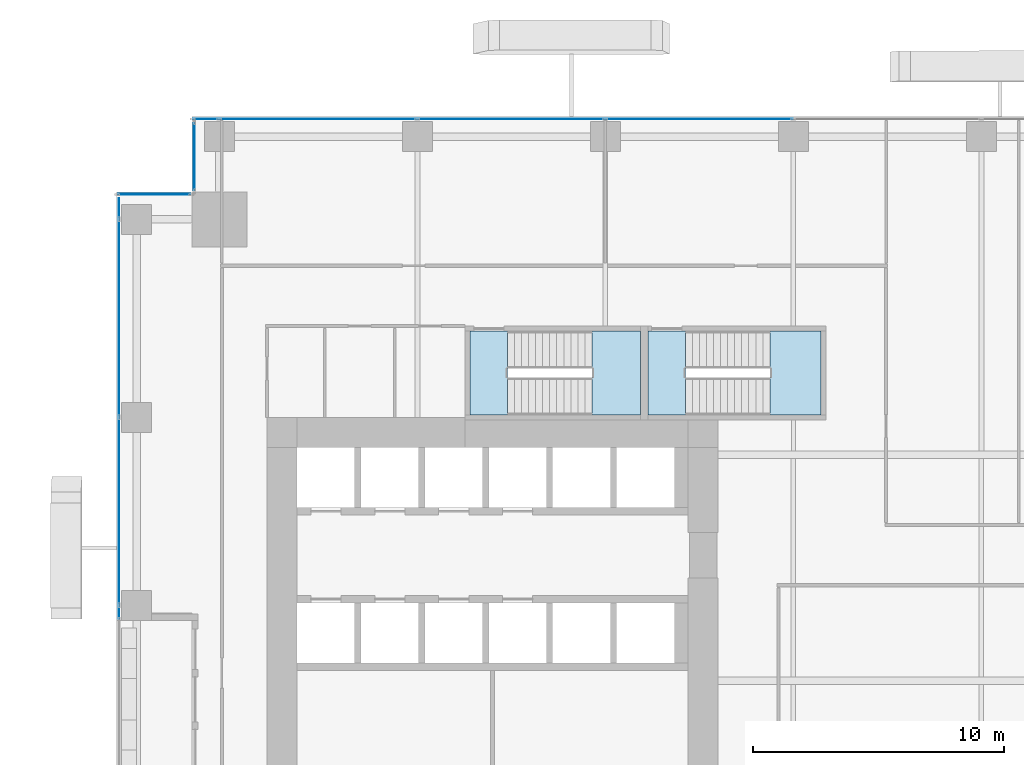
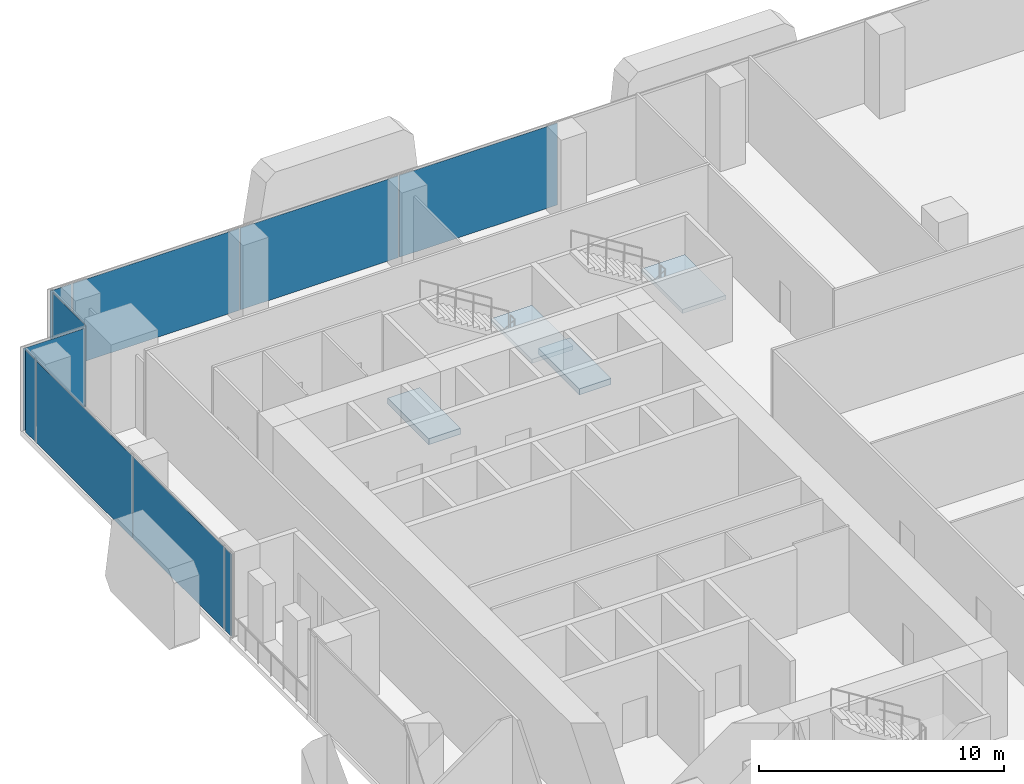
# One storey, part 25 of 35: 10 plates, 4 slabs, 6 elements without a shape of their own.
"""IFC4 building model written with IfcOpenShell, lengths in metres."""

from ifc_helpers import new_model, si_unit, direction, frame, origin, origin_2d, place, context, subcontext, project, spatial, polyline, rectangle, outline, extrude, source, transform, mapped, material, layer, layer_set, type_object, element, aggregate, save


model = new_model("IFC4")

# Units and contexts
model_context = context("Model", 3, precision=1e-05, world=origin(), true_north=direction((0.0, 1.0)))
body_context = subcontext(model_context, "Body", "Model", "MODEL_VIEW")
ifc_project = project(units=[si_unit("LENGTHUNIT", "METRE"), si_unit("AREAUNIT", "SQUARE_METRE"), si_unit("VOLUMEUNIT", "CUBIC_METRE"), si_unit("PLANEANGLEUNIT", "RADIAN"), si_unit("MASSUNIT", "GRAM", prefix="KILO")], contexts=[model_context])

# Site, building, storey
site_placement = place(None, origin())
site = spatial("IfcSite", under=ifc_project, at=site_placement, CompositionType="ELEMENT")
building_placement = place(site_placement, origin())
building = spatial("IfcBuilding", under=site, at=building_placement, Name="Khomas Fold Tower", CompositionType="ELEMENT")
storey_placement = place(building_placement, frame((0.0, 0.0, 69.0)))
storey = spatial("IfcBuildingStorey", under=building, at=storey_placement, Name="L14", CompositionType="ELEMENT", Elevation=69.0)

# Curtain wall, plate
ifc_material_1 = material(Name="Aluminium framed double glazing", Category="aluminium")
curtain_wall_type = type_object("IfcCurtainWallType", Name="SK-Unitised clear-glass wall, growing floors CW1", PredefinedType="NOTDEFINED", material=ifc_material_1)
curtain_wall_1_placement = place(storey_placement, origin())
curtain_wall_1 = element("IfcCurtainWall", 1, at=curtain_wall_1_placement, inside=storey, type_object=curtain_wall_type, Name="CW1 run L14 09-0", PredefinedType="NOTDEFINED")
ifc_material_2 = material(Name="Clear double glazed unit")
ifc_layer_1 = layer(ifc_material_2, 0.031982421875)
ifc_layer_set_1 = layer_set([ifc_layer_1], Name="Clear double glazed unit")
plate_type = type_object("IfcPlateType", Name="SK-Unitised clear-glass wall, growing floors glass panel CW1-P", PredefinedType="CURTAIN_PANEL", material=ifc_layer_set_1)
shared_shape_1 = source(origin(), body_context, "Body", "SweptSolid", [
    extrude(rectangle(XDim=0.81005859375, YDim=0.031982421875, at=origin_2d()), origin(), (0.0, 0.0, 1.0), 4.080078125),
])
plate_1_placement = place(storey_placement, frame((0.10009765625, 50.3349609375, 0.0), z_axis=(0.0, 0.0, 1.0), x_axis=(0.0, -1.0, 0.0)))
plate_1 = element("IfcPlate", 2, at=plate_1_placement, type_object=plate_type, Name="CW1 glass panel 1", PredefinedType="CURTAIN_PANEL", context=body_context, shape_type="MappedRepresentation", body=[
    mapped(shared_shape_1, transform((0.0, 0.0, 0.0))),
])

curtain_wall_2_placement = place(storey_placement, origin())
curtain_wall_2 = element("IfcCurtainWall", 3, at=curtain_wall_2_placement, inside=storey, type_object=curtain_wall_type, Name="CW1 run L14 06-0", PredefinedType="NOTDEFINED")
shared_shape_2 = source(origin(), body_context, "Body", "SweptSolid", [
    extrude(rectangle(XDim=7.840087890625, YDim=0.031982421875, at=origin_2d()), origin(), (0.0, 0.0, 1.0), 4.080078125),
])
plate_2_placement = place(storey_placement, frame((8.050048828125, 53.89990234375, 0.0), z_axis=(0.0, 0.0, 1.0), x_axis=(-1.0, 0.0, 0.0)))
plate_2 = element("IfcPlate", 4, at=plate_2_placement, type_object=plate_type, Name="CW1 glass panel 7", PredefinedType="CURTAIN_PANEL", context=body_context, shape_type="MappedRepresentation", body=[
    mapped(shared_shape_2, transform((0.0, 0.0, 0.0))),
])

# Plate
plate_3_placement = place(storey_placement, frame((0.10009765625, 45.949951171875, 0.0), z_axis=(0.0, 0.0, 1.0), x_axis=(0.0, -1.0, 0.0)))
plate_3 = element("IfcPlate", 5, at=plate_3_placement, type_object=plate_type, Name="CW1 glass panel 2", PredefinedType="CURTAIN_PANEL", context=body_context, shape_type="MappedRepresentation", body=[
    mapped(shared_shape_2, transform((0.0, 0.0, 0.0))),
])

shared_shape_3 = source(origin(), body_context, "Body", "SweptSolid", [
    extrude(rectangle(XDim=7.43994140625, YDim=0.031982421875, at=origin_2d()), origin(), (0.0, 0.0, 1.0), 4.080078125),
])
plate_4_placement = place(storey_placement, frame((23.25, 53.89990234375, 0.0), z_axis=(0.0, 0.0, 1.0), x_axis=(-1.0, 0.0, 0.0)))
plate_4 = element("IfcPlate", 6, at=plate_4_placement, type_object=plate_type, Name="CW1 glass panel 5", PredefinedType="CURTAIN_PANEL", context=body_context, shape_type="MappedRepresentation", body=[
    mapped(shared_shape_3, transform((0.0, 0.0, 0.0))),
])

plate_5_placement = place(storey_placement, frame((15.75, 53.89990234375, 0.0), z_axis=(0.0, 0.0, 1.0), x_axis=(-1.0, 0.0, 0.0)))
plate_5 = element("IfcPlate", 7, at=plate_5_placement, type_object=plate_type, Name="CW1 glass panel 6", PredefinedType="CURTAIN_PANEL", context=body_context, shape_type="MappedRepresentation", body=[
    mapped(shared_shape_3, transform((0.0, 0.0, 0.0))),
])

plate_6_placement = place(storey_placement, frame((0.10009765625, 38.25, 0.0), z_axis=(0.0, 0.0, 1.0), x_axis=(0.0, -1.0, 0.0)))
plate_6 = element("IfcPlate", 8, at=plate_6_placement, type_object=plate_type, Name="CW1 glass panel 3", PredefinedType="CURTAIN_PANEL", context=body_context, shape_type="MappedRepresentation", body=[
    mapped(shared_shape_3, transform((0.0, 0.0, 0.0))),
])

shared_shape_4 = source(origin(), body_context, "Body", "SweptSolid", [
    extrude(rectangle(XDim=1.010009765625, YDim=0.031982421875, at=origin_2d()), origin(), (0.0, 0.0, 1.0), 4.080078125),
])
plate_7_placement = place(storey_placement, frame((3.56494140625, 53.89990234375, 0.0), z_axis=(0.0, 0.0, 1.0), x_axis=(-1.0, 0.0, 0.0)))
plate_7 = element("IfcPlate", 9, at=plate_7_placement, type_object=plate_type, Name="CW1 glass panel 8", PredefinedType="CURTAIN_PANEL", context=body_context, shape_type="MappedRepresentation", body=[
    mapped(shared_shape_4, transform((0.0, 0.0, 0.0))),
])

aggregate(curtain_wall_2, [plate_4, plate_5, plate_2, plate_7])

# Curtain wall, plate
curtain_wall_3_placement = place(storey_placement, origin())
curtain_wall_3 = element("IfcCurtainWall", 10, at=curtain_wall_3_placement, inside=storey, type_object=curtain_wall_type, Name="CW1 corner return L14 07", PredefinedType="NOTDEFINED")
shared_shape_5 = source(origin(), body_context, "Body", "SweptSolid", [
    extrude(rectangle(XDim=2.679931640625, YDim=0.031982421875, at=origin_2d()), origin(), (0.0, 0.0, 1.0), 4.080078125),
])
plate_8_placement = place(storey_placement, frame((3.10009765625, 52.39990234375, 0.0), z_axis=(0.0, 0.0, 1.0), x_axis=(0.0, -1.0, 0.0)))
plate_8 = element("IfcPlate", 11, at=plate_8_placement, type_object=plate_type, Name="CW1 glass panel 1", PredefinedType="CURTAIN_PANEL", context=body_context, shape_type="MappedRepresentation", body=[
    mapped(shared_shape_5, transform((0.0, 0.0, 0.0))),
])
aggregate(curtain_wall_3, [plate_8])

curtain_wall_4_placement = place(storey_placement, origin())
curtain_wall_4 = element("IfcCurtainWall", 12, at=curtain_wall_4_placement, inside=storey, type_object=curtain_wall_type, Name="CW1 corner return L14 08", PredefinedType="NOTDEFINED")
shared_shape_6 = source(origin(), body_context, "Body", "SweptSolid", [
    extrude(rectangle(XDim=2.8798828125, YDim=0.031982421875, at=origin_2d()), origin(), (0.0, 0.0, 1.0), 4.080078125),
])
plate_9_placement = place(storey_placement, frame((1.5, 50.89990234375, 0.0), z_axis=(0.0, 0.0, 1.0), x_axis=(-1.0, 0.0, 0.0)))
plate_9 = element("IfcPlate", 13, at=plate_9_placement, type_object=plate_type, Name="CW1 glass panel 1", PredefinedType="CURTAIN_PANEL", context=body_context, shape_type="MappedRepresentation", body=[
    mapped(shared_shape_6, transform((0.0, 0.0, 0.0))),
])
aggregate(curtain_wall_4, [plate_9])

# Plate
shared_shape_7 = source(origin(), body_context, "Body", "SweptSolid", [
    extrude(rectangle(XDim=0.510009765625, YDim=0.031982421875, at=origin_2d()), origin(), (0.0, 0.0, 1.0), 4.080078125),
])
plate_10_placement = place(storey_placement, frame((0.10009765625, 34.215087890625, 0.0), z_axis=(0.0, 0.0, 1.0), x_axis=(0.0, -1.0, 0.0)))
plate_10 = element("IfcPlate", 14, at=plate_10_placement, type_object=plate_type, Name="CW1 glass panel 4", PredefinedType="CURTAIN_PANEL", context=body_context, shape_type="MappedRepresentation", body=[
    mapped(shared_shape_7, transform((0.0, 0.0, 0.0))),
])

aggregate(curtain_wall_1, [plate_1, plate_3, plate_6, plate_10])

# Stair, slab
ifc_material_3 = material(Name="Concrete C40/50", Category="concrete")
stair_type_1 = type_object("IfcStairType", Name="Stair ST1", PredefinedType="HALF_TURN_STAIR", material=ifc_material_3)
stair_1_placement = place(storey_placement, origin())
stair_1 = element("IfcStair", 15, at=stair_1_placement, inside=storey, type_object=stair_type_1, Name="L14 ST1", PredefinedType="HALF_TURN_STAIR")
ifc_material_4 = material(Name="Concrete C40/50", Category="concrete")
ifc_layer_2 = layer(ifc_material_4, 0.199951171875)
ifc_layer_set_2 = layer_set([ifc_layer_2], Name="Concrete C40/50")
slab_type_1 = type_object("IfcSlabType", Name="Stair landing 200", PredefinedType="LANDING", material=ifc_layer_set_2)
shared_shape_8 = source(origin(), body_context, "Body", "SweptSolid", [
    extrude(outline(polyline([(18.9599609375, 42.10009765625), (20.89990234375, 42.10009765625), (20.89990234375, 45.449951171875), (18.9599609375, 45.449951171875), (18.9599609375, 42.10009765625)])), origin(), (0.0, 0.0, 1.0), 0.199951171875),
])
slab_1_placement = place(storey_placement, frame((0.0, 0.0, 2.050048828125)))
slab_1 = element("IfcSlab", 16, at=slab_1_placement, type_object=slab_type_1, Name="ST1 landing 1", PredefinedType="LANDING", context=body_context, shape_type="MappedRepresentation", body=[
    mapped(shared_shape_8, transform((0.0, 0.0, 0.0))),
])
aggregate(stair_1, [slab_1])

# Slab
ifc_material_5 = material(Name="Concrete C40/50", Category="concrete")
ifc_layer_3 = layer(ifc_material_5, 0.300048828125)
ifc_layer_set_3 = layer_set([ifc_layer_3], Name="Concrete C40/50")
slab_type_2 = type_object("IfcSlabType", Name="Stair floor landing 300", PredefinedType="LANDING", material=ifc_layer_set_3)
shared_shape_9 = source(origin(), body_context, "Body", "SweptSolid", [
    extrude(outline(polyline([(15.60009765625, 42.10009765625), (14.10009765625, 42.10009765625), (14.10009765625, 45.449951171875), (15.60009765625, 45.449951171875), (15.60009765625, 42.10009765625)])), origin(), (0.0, 0.0, 1.0), 0.300048828125),
])
slab_2_placement = place(storey_placement, frame((0.0, 0.0, -0.300048828125)))
element("IfcSlab", 17, at=slab_2_placement, inside=storey, type_object=slab_type_2, Name="ST1 floor landing", PredefinedType="LANDING", context=body_context, shape_type="MappedRepresentation", body=[
    mapped(shared_shape_9, transform((0.0, 0.0, 0.0))),
])

# Stair, slab
ifc_material_6 = material(Name="Concrete C40/50", Category="concrete")
stair_type_2 = type_object("IfcStairType", Name="Stair ST3", PredefinedType="HALF_TURN_STAIR", material=ifc_material_6)
stair_2_placement = place(storey_placement, origin())
stair_2 = element("IfcStair", 18, at=stair_2_placement, inside=storey, type_object=stair_type_2, Name="L14 ST3", PredefinedType="HALF_TURN_STAIR")
shared_shape_10 = source(origin(), body_context, "Body", "SweptSolid", [
    extrude(outline(polyline([(26.06005859375, 42.10009765625), (28.10009765625, 42.10009765625), (28.10009765625, 45.449951171875), (26.06005859375, 45.449951171875), (26.06005859375, 42.10009765625)])), origin(), (0.0, 0.0, 1.0), 0.199951171875),
])
slab_3_placement = place(storey_placement, frame((0.0, 0.0, 2.050048828125)))
slab_3 = element("IfcSlab", 19, at=slab_3_placement, type_object=slab_type_1, Name="ST3 landing 1", PredefinedType="LANDING", context=body_context, shape_type="MappedRepresentation", body=[
    mapped(shared_shape_10, transform((0.0, 0.0, 0.0))),
])
aggregate(stair_2, [slab_3])

# Slab
shared_shape_11 = source(origin(), body_context, "Body", "SweptSolid", [
    extrude(outline(polyline([(22.699951171875, 42.10009765625), (21.199951171875, 42.10009765625), (21.199951171875, 45.449951171875), (22.699951171875, 45.449951171875), (22.699951171875, 42.10009765625)])), origin(), (0.0, 0.0, 1.0), 0.300048828125),
])
slab_4_placement = place(storey_placement, frame((0.0, 0.0, -0.300048828125)))
element("IfcSlab", 20, at=slab_4_placement, inside=storey, type_object=slab_type_2, Name="ST3 floor landing", PredefinedType="LANDING", context=body_context, shape_type="MappedRepresentation", body=[
    mapped(shared_shape_11, transform((0.0, 0.0, 0.0))),
])

save(model, "model.ifc")
